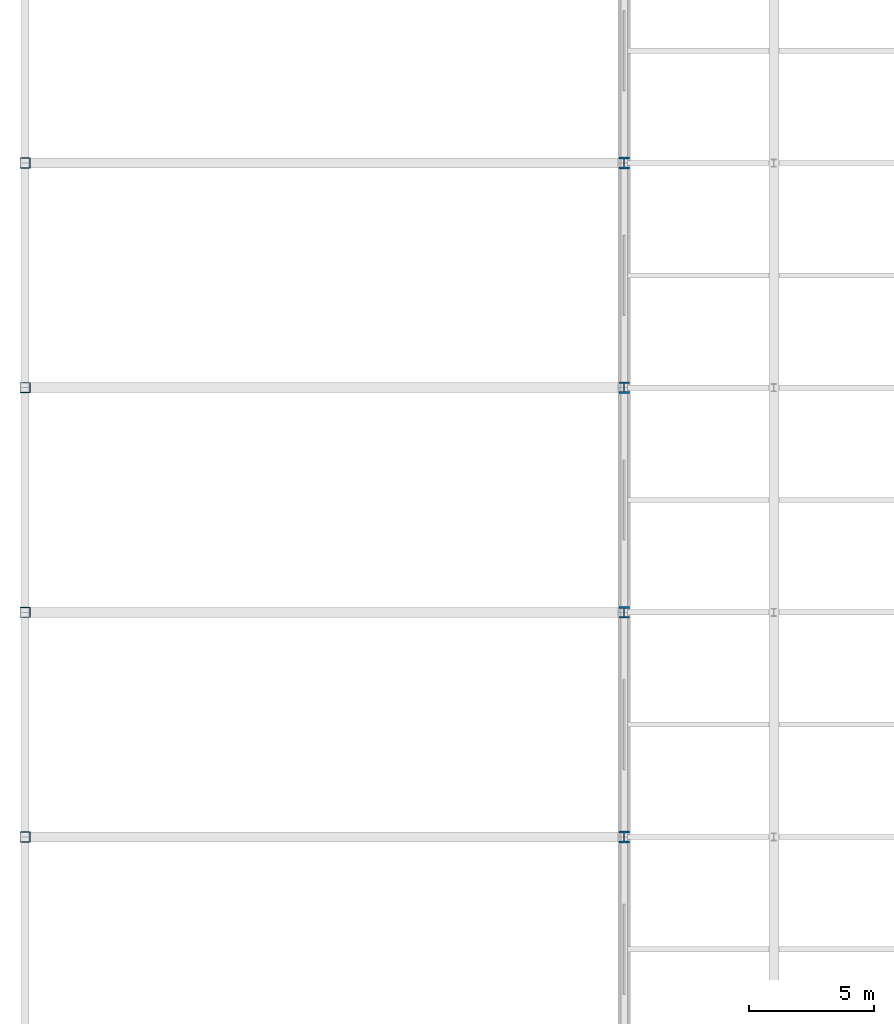
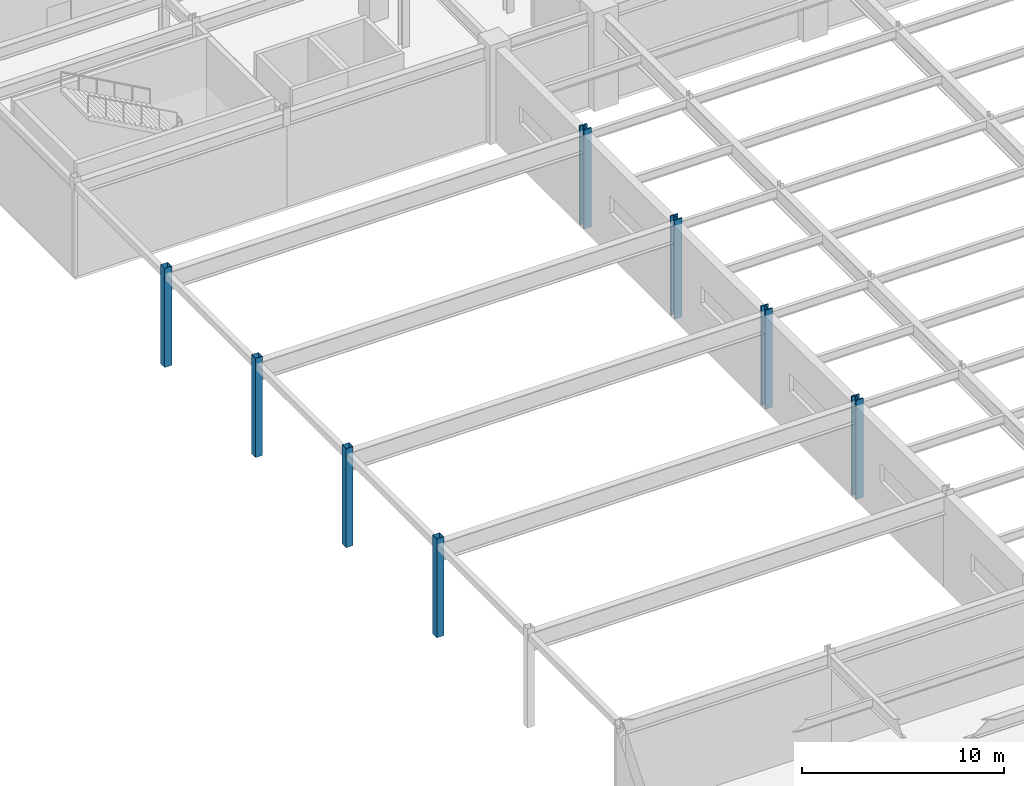
# One storey, part 3 of 105: 8 columns.
"""IFC4 building model written with IfcOpenShell, lengths in metres."""

import ifcopenshell
import ifcopenshell.guid

model = None  # the IFC model being written
_history = None  # IfcOwnerHistory: only IFC2X3 demands one
_inside = {}  # id of a spatial element -> (the spatial element, [elements in it])
_under = {}  # id of a project, library or spatial element -> (it, [spatial elements below it])
_declared = {}  # id of a project -> (the project, [libraries it declares])
_typed = {}  # id of a type object -> (the type object, [elements of that type])
_made_of = {}  # id of a material, layer set ... -> (it, [elements and type objects made of it])


def new_model(schema):
    """Start an empty IFC model of exactly this schema.

    Asked for "IFC4X3", IfcOpenShell would pick the latest addendum, in which some entities
    have other attributes; the version numbers below select the first issue.
    IFC2X3 requires an IfcOwnerHistory on every rooted entity: one is made here for all.
    """
    global model, _history
    if schema == "IFC4X3":
        model = ifcopenshell.file(schema_version=(4, 3, 0, 0))
    else:
        model = ifcopenshell.file(schema=schema)
    _inside.clear()
    _under.clear()
    _declared.clear()
    _typed.clear()
    _made_of.clear()
    _history = None
    if model.schema == "IFC2X3":
        org = make("IfcOrganization", Name="unknown")
        user = make(
            "IfcPersonAndOrganization",
            ThePerson=make("IfcPerson", FamilyName="unknown"),
            TheOrganization=org,
        )
        app = make(
            "IfcApplication",
            ApplicationDeveloper=org,
            Version="unknown",
            ApplicationFullName="unknown",
            ApplicationIdentifier="unknown",
        )
        _history = make(
            "IfcOwnerHistory",
            OwningUser=user,
            OwningApplication=app,
            ChangeAction="ADDED",
            CreationDate=0,
        )
    return model


def make(cls, **values):
    """One entity of the class cls with the attributes given. An attribute that is None is left unset."""
    return model.create_entity(
        cls, **{name: value for name, value in values.items() if value is not None}
    )


def rooted(cls, **values):
    """An entity with a GlobalId (a new one), such as an element, a storey or a relation."""
    return make(cls, GlobalId=ifcopenshell.guid.new(), OwnerHistory=_history, **values)


def si_unit(unit_type, name, prefix=None):
    """IfcSIUnit, for example si_unit("LENGTHUNIT", "METRE", prefix="MILLI")."""
    return make("IfcSIUnit", UnitType=unit_type, Prefix=prefix, Name=name)


def assignment(units):
    """IfcUnitAssignment: the units of a project."""
    return None if units is None else make("IfcUnitAssignment", Units=units)


def point(xyz):
    """IfcCartesianPoint."""
    return None if xyz is None else make("IfcCartesianPoint", Coordinates=xyz)


def direction(xyz):
    """IfcDirection."""
    return None if xyz is None else make("IfcDirection", DirectionRatios=xyz)


def frame(location, z_axis=None, x_axis=None):
    """IfcAxis2Placement3D, a coordinate frame: its origin and axes. An axis left out is left unset."""
    return make(
        "IfcAxis2Placement3D",
        Location=point(location),
        Axis=direction(z_axis),
        RefDirection=direction(x_axis),
    )


def frame_2d(location, x_axis=None):
    """IfcAxis2Placement2D, a coordinate frame in the plane: its origin and x axis."""
    return make(
        "IfcAxis2Placement2D", Location=point(location), RefDirection=direction(x_axis)
    )


def origin():
    """The frame at (0, 0, 0) with its axes left unset."""
    return frame((0.0, 0.0, 0.0))


def origin_2d():
    """The frame at (0, 0) in the plane with its x axis left unset."""
    return frame_2d((0.0, 0.0))


def place(relative_to, where):
    """IfcLocalPlacement: puts the frame where relative to a parent placement (None: the world)."""
    return make(
        "IfcLocalPlacement", PlacementRelTo=relative_to, RelativePlacement=where
    )


def context(
    kind, dimensions, precision=None, world=None, true_north=None, identifier=None
):
    """IfcGeometricRepresentationContext, for example the 3D "Model" context."""
    return make(
        "IfcGeometricRepresentationContext",
        ContextIdentifier=identifier,
        ContextType=kind,
        CoordinateSpaceDimension=dimensions,
        Precision=precision,
        WorldCoordinateSystem=world,
        TrueNorth=true_north,
    )


def subcontext(parent, identifier, kind, view, scale=None):
    """IfcGeometricRepresentationSubContext, for example "Body" below "Model"."""
    return make(
        "IfcGeometricRepresentationSubContext",
        ContextIdentifier=identifier,
        ContextType=kind,
        ParentContext=parent,
        TargetScale=scale,
        TargetView=view,
    )


def project(units=None, contexts=None):
    """IfcProject with its units and contexts."""
    return rooted(
        "IfcProject",
        Name="project",
        RepresentationContexts=contexts,
        UnitsInContext=assignment(units),
    )


def spatial(cls, under=None, at=None, **own):
    """A site, building, storey or space (cls), placed at a placement, below another one or the project."""
    s = rooted(cls, ObjectPlacement=at, **own)
    if under is not None:
        _under.setdefault(under.id(), (under, []))[1].append(s)
    return s


def profile(cls, at=None, kind="AREA", **sizes):
    """A parametric profile (cls). Its sizes go by their IFC names, for example OverallWidth=200.0."""
    return make(cls, ProfileType=kind, Position=at, **sizes)


def hollow_rectangle(**sizes):
    """IfcRectangleHollowProfileDef."""
    return profile("IfcRectangleHollowProfileDef", **sizes)


def i_section(**sizes):
    """IfcIShapeProfileDef."""
    return profile("IfcIShapeProfileDef", **sizes)


def extrude(swept, where, along, depth):
    """IfcExtrudedAreaSolid: the profile swept, set in the frame where, extruded along a direction by depth."""
    return make(
        "IfcExtrudedAreaSolid",
        SweptArea=swept,
        Position=where,
        ExtrudedDirection=direction(along),
        Depth=depth,
    )


def shape(context_of_items, identifier, shape_type, items):
    """IfcShapeRepresentation: the items that make up one representation, for example the "Body"."""
    return make(
        "IfcShapeRepresentation",
        ContextOfItems=context_of_items,
        RepresentationIdentifier=identifier,
        RepresentationType=shape_type,
        Items=items,
    )


def material(Name=None, Category=None):
    """IfcMaterial."""
    return make("IfcMaterial", Name=Name, Category=Category)


def material_profile(
    of_material, cross_section, Name=None, Category=None, Priority=None
):
    """IfcMaterialProfile: a cross section and its material."""
    return make(
        "IfcMaterialProfile",
        Name=Name,
        Material=of_material,
        Profile=cross_section,
        Priority=Priority,
        Category=Category,
    )


def profile_set(profiles, Name=None, composite=None):
    """IfcMaterialProfileSet."""
    return make(
        "IfcMaterialProfileSet",
        Name=Name,
        MaterialProfiles=profiles,
        CompositeProfile=composite,
    )


def made_of(thing, what):
    """Note that an element or type object is made of a material, layer set ...; save() writes the relation."""
    if what is not None:
        _made_of.setdefault(what.id(), (what, []))[1].append(thing)
    return thing


def type_object(cls, material=None, **own):
    """A type object (cls), such as IfcWallType, which elements share."""
    return made_of(rooted(cls, **own), material)


def element(
    cls,
    number,
    at=None,
    inside=None,
    cuts=None,
    type_object=None,
    material=None,
    context=None,
    identifier="Body",
    shape_type=None,
    held_by="IfcProductDefinitionShape",
    body=None,
    shapes=None,
    **own,
):
    """One element of the class cls, such as IfcWall. Its Tag is "e" and its number.

    at: its placement. inside: the storey or other place that contains it. cuts: it is an
    opening in that element (IfcRelVoidsElement). A single representation is given by context,
    identifier, shape_type and body (its items); several are given by shapes. held_by: the class
    of the entity that holds the representations. save() writes the other relations.
    """
    e = rooted(cls, Tag="e%d" % number, ObjectPlacement=at, **own)
    if body is not None:
        shapes = [shape(context, identifier, shape_type, body)]
    if shapes is not None:
        e.Representation = make(held_by, Representations=shapes)
    if inside is not None:
        _inside.setdefault(inside.id(), (inside, []))[1].append(e)
    if cuts is not None:
        rooted(
            "IfcRelVoidsElement", RelatingBuildingElement=cuts, RelatedOpeningElement=e
        )
    if type_object is not None:
        _typed.setdefault(type_object.id(), (type_object, []))[1].append(e)
    return made_of(e, material)


def aggregate(whole, parts):
    """IfcRelAggregates: a whole, such as a stair, and the parts it consists of."""
    return rooted("IfcRelAggregates", RelatingObject=whole, RelatedObjects=parts)


def save(model, path):
    """Write the relations noted so far, then the file.

    IfcRelAggregates (storeys below a building ...), IfcRelContainedInSpatialStructure (elements
    in a storey), IfcRelDefinesByType, IfcRelAssociatesMaterial and IfcRelDeclares: one each for
    every whole, place, type object, material and project.
    """
    for whole, parts in _under.values():
        aggregate(whole, parts)
    for where, things in _inside.values():
        rooted(
            "IfcRelContainedInSpatialStructure",
            RelatedElements=things,
            RelatingStructure=where,
        )
    for kind, things in _typed.values():
        rooted("IfcRelDefinesByType", RelatedObjects=things, RelatingType=kind)
    for what, things in _made_of.values():
        rooted("IfcRelAssociatesMaterial", RelatedObjects=things, RelatingMaterial=what)
    for by, libraries in _declared.values():
        rooted("IfcRelDeclares", RelatingContext=by, RelatedDefinitions=libraries)
    model.write(path)


model = new_model("IFC4")

# Units and contexts
model_context = context("Model", 3, precision=1e-05, world=origin(), true_north=direction((0.0, 1.0)))
body_context = subcontext(model_context, "Body", "Model", "MODEL_VIEW")
ifc_project = project(units=[si_unit("LENGTHUNIT", "METRE"), si_unit("AREAUNIT", "SQUARE_METRE"), si_unit("VOLUMEUNIT", "CUBIC_METRE"), si_unit("PLANEANGLEUNIT", "RADIAN"), si_unit("MASSUNIT", "GRAM", prefix="KILO")], contexts=[model_context])

# Site, building, storey
site_placement = place(None, origin())
site = spatial("IfcSite", under=ifc_project, at=site_placement, CompositionType="ELEMENT")
building_placement = place(site_placement, origin())
building = spatial("IfcBuilding", under=site, at=building_placement, Name="Kaldorvane Square Convention Centre", CompositionType="ELEMENT")
storey_placement = place(building_placement, frame((0.0, 0.0, 6.0)))
storey = spatial("IfcBuildingStorey", under=building, at=storey_placement, Name="L01", CompositionType="ELEMENT", Elevation=6.0)

# Columns
ifc_material_1 = material(Name="Steel ASTM A500 Gr. C", Category="steel")
ifc_material_profile_1 = material_profile(ifc_material_1, hollow_rectangle(XDim=0.406402587890625, YDim=0.406402587890625, WallThickness=0.014801025390625, at=origin_2d()), Name="HSS16X16X5/8")
ifc_profile_set_1 = profile_set([ifc_material_profile_1], Name="Steel ASTM A500 Gr. C")
column_type_1 = type_object("IfcColumnType", Name="COL-HSS-16", PredefinedType="COLUMN", material=ifc_profile_set_1)
for number, where, z_axis, x_axis, name in (
    (1, (0.0, 36.0, 0.0), (0.0, 0.0, 1.0), (1.0, 0.0, 0.0), "Column SC-14 (L01)"),
    (2, (0.0, 45.0, 0.0), (0.0, 0.0, 1.0), (1.0, 0.0, 0.0), "Column SC-14 (L01)"),
    (3, (0.0, 54.0, 0.0), (0.0, 0.0, 1.0), (1.0, 0.0, 0.0), "Column SC-14 (L01)"),
    (4, (0.0, 63.0, 0.0), (0.0, 0.0, 1.0), (1.0, 0.0, 0.0), "Column SC-14 (L01)"),
):
    element("IfcColumn", number, at=place(storey_placement, frame(where, z_axis=z_axis, x_axis=x_axis)), inside=storey, type_object=column_type_1, Name=name, PredefinedType="COLUMN", context=body_context, shape_type="SweptSolid", body=[
        extrude(hollow_rectangle(XDim=0.406402587890625, YDim=0.406402587890625, WallThickness=0.014801025390625, at=origin_2d()), origin(), (0.0, 0.0, 1.0), 6.0),
    ])
ifc_material_2 = material(Name="Steel ASTM A992 Gr. 50", Category="steel")
ifc_material_profile_2 = material_profile(ifc_material_2, i_section(OverallWidth=0.424102783203125, OverallDepth=0.4741973876953125, WebThickness=0.047607421875, FlangeThickness=0.0771026611328125, FilletRadius=0.0305023193359375, at=origin_2d()), Name="W14X426")
ifc_profile_set_2 = profile_set([ifc_material_profile_2], Name="Steel ASTM A992 Gr. 50")
column_type_2 = type_object("IfcColumnType", Name="COL-STL-426", PredefinedType="COLUMN", material=ifc_profile_set_2)
for number, where, z_axis, x_axis, name in (
    (5, (24.0, 36.0, 0.0), (0.0, 0.0, 1.0), (1.0, 0.0, 0.0), "Column SC-04 (L01)"),
    (6, (24.0, 45.0, 0.0), (0.0, 0.0, 1.0), (1.0, 0.0, 0.0), "Column SC-04 (L01)"),
    (7, (24.0, 54.0, 0.0), (0.0, 0.0, 1.0), (1.0, 0.0, 0.0), "Column SC-04 (L01)"),
    (8, (24.0, 63.0, 0.0), (0.0, 0.0, 1.0), (1.0, 0.0, 0.0), "Column SC-04 (L01)"),
):
    element("IfcColumn", number, at=place(storey_placement, frame(where, z_axis=z_axis, x_axis=x_axis)), inside=storey, type_object=column_type_2, Name=name, PredefinedType="COLUMN", context=body_context, shape_type="SweptSolid", body=[
        extrude(i_section(OverallWidth=0.424102783203125, OverallDepth=0.4741973876953125, WebThickness=0.047607421875, FlangeThickness=0.0771026611328125, FilletRadius=0.0305023193359375, at=origin_2d()), origin(), (0.0, 0.0, 1.0), 6.0),
    ])

save(model, "model.ifc")
